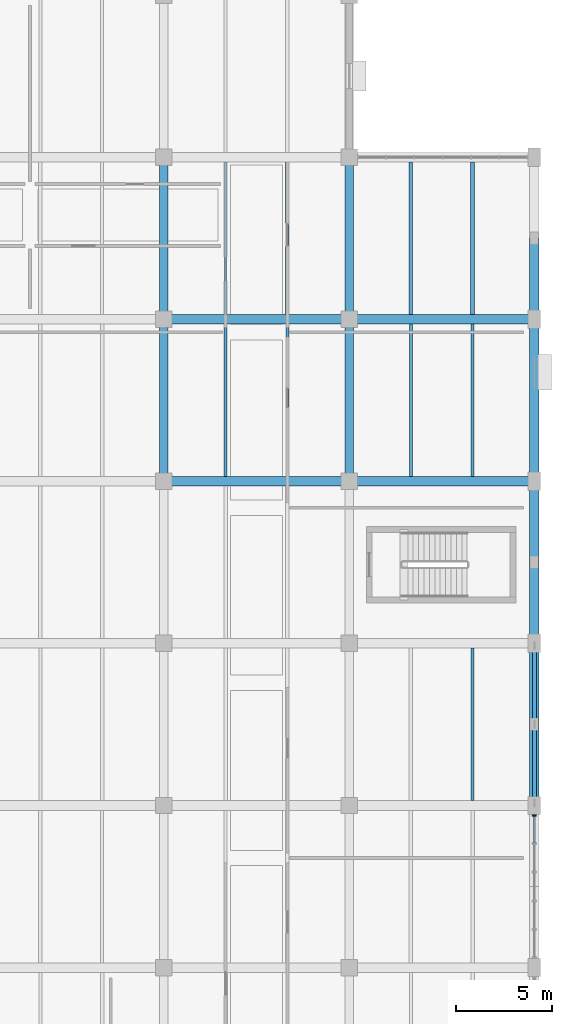
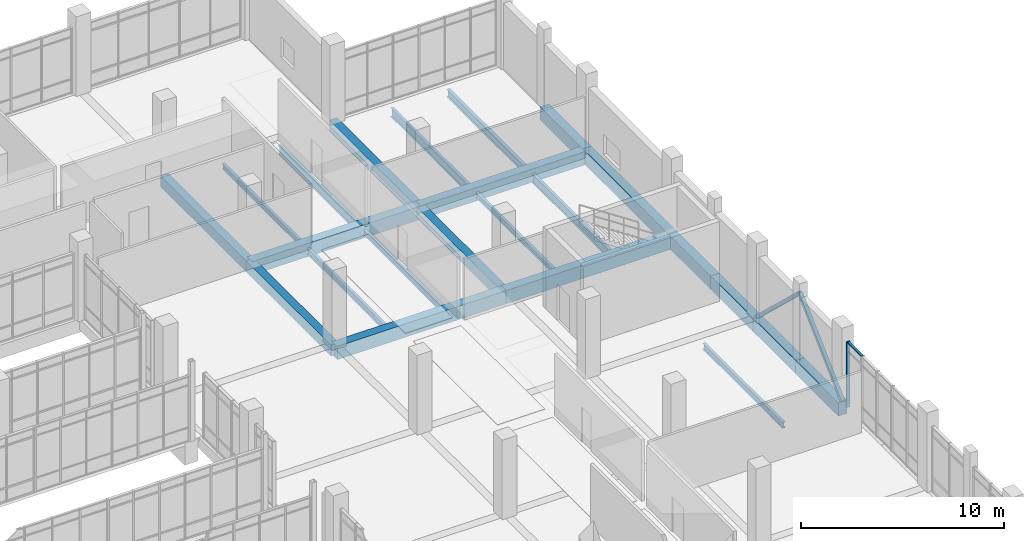
# One storey, part 64 of 152: 23 beams, 4 members, 1 element without a shape of its own.
"""IFC4 building model written with IfcOpenShell, lengths in metres."""

from ifc_helpers import new_model, si_unit, direction, frame, origin, origin_2d, place, context, subcontext, project, spatial, rectangle, hollow_rectangle, i_section, extrude, material, material_profile, profile_set, type_object, element, aggregate, save


model = new_model("IFC4")

# Units and contexts
model_context = context("Model", 3, precision=1e-05, world=origin(), true_north=direction((0.0, 1.0)))
body_context = subcontext(model_context, "Body", "Model", "MODEL_VIEW")
ifc_project = project(units=[si_unit("LENGTHUNIT", "METRE"), si_unit("AREAUNIT", "SQUARE_METRE"), si_unit("VOLUMEUNIT", "CUBIC_METRE"), si_unit("PLANEANGLEUNIT", "RADIAN"), si_unit("MASSUNIT", "GRAM", prefix="KILO")], contexts=[model_context])

# Site, building, storey
site_placement = place(None, origin())
site = spatial("IfcSite", under=ifc_project, at=site_placement, CompositionType="ELEMENT")
building_placement = place(site_placement, origin())
building = spatial("IfcBuilding", under=site, at=building_placement, Name="Oolite Switchyard Hospital", CompositionType="ELEMENT")
storey_placement = place(building_placement, frame((0.0, 0.0, 5.10009765625)))
storey = spatial("IfcBuildingStorey", under=building, at=storey_placement, Name="L01", CompositionType="ELEMENT", Elevation=5.10009765625)

# Beams
ifc_material_1 = material(Name="Concrete C40/50", Category="concrete")
ifc_material_profile_1 = material_profile(ifc_material_1, rectangle(XDim=0.449951171875, YDim=0.64990234375, at=origin_2d()), Name="RCB450X650")
ifc_profile_set_1 = profile_set([ifc_material_profile_1], Name="Concrete C40/50")
beam_type_1 = type_object("IfcBeamType", Name="BM-RC450X650", PredefinedType="BEAM", material=ifc_profile_set_1)
beam_1_placement = place(storey_placement, frame((192.0, 50.39990234375, -0.3251953125), z_axis=(0.0, 1.0, 0.0), x_axis=(-1.0, 0.0, 0.0)))
element("IfcBeam", 1, at=beam_1_placement, inside=storey, type_object=beam_type_1, Name="L01 Y-Girder 528", PredefinedType="BEAM", context=body_context, shape_type="SweptSolid", body=[
    extrude(rectangle(XDim=0.449951171875, YDim=0.64990234375, at=origin_2d()), origin(), (0.0, 0.0, 1.0), 8.400146484375),
])
beam_2_placement = place(storey_placement, frame((192.0, 58.800048828125, -0.3251953125), z_axis=(0.0, 1.0, 0.0), x_axis=(-1.0, 0.0, 0.0)))
element("IfcBeam", 2, at=beam_2_placement, inside=storey, type_object=beam_type_1, Name="L01 Y-Girder 529", PredefinedType="BEAM", context=body_context, shape_type="SweptSolid", body=[
    extrude(rectangle(XDim=0.449951171875, YDim=0.64990234375, at=origin_2d()), origin(), (0.0, 0.0, 1.0), 8.39990234375),
])
beam_3_placement = place(storey_placement, frame((201.60009765625, 50.39990234375, -0.3251953125), z_axis=(0.0, 1.0, 0.0), x_axis=(-1.0, 0.0, 0.0)))
element("IfcBeam", 3, at=beam_3_placement, inside=storey, type_object=beam_type_1, Name="L01 Y-Girder 540", PredefinedType="BEAM", context=body_context, shape_type="SweptSolid", body=[
    extrude(rectangle(XDim=0.449951171875, YDim=0.64990234375, at=origin_2d()), origin(), (0.0, 0.0, 1.0), 8.400146484375),
])
beam_4_placement = place(storey_placement, frame((201.60009765625, 58.800048828125, -0.3251953125), z_axis=(0.0, 1.0, 0.0), x_axis=(-1.0, 0.0, 0.0)))
element("IfcBeam", 4, at=beam_4_placement, inside=storey, type_object=beam_type_1, Name="L01 Y-Girder 541", PredefinedType="BEAM", context=body_context, shape_type="SweptSolid", body=[
    extrude(rectangle(XDim=0.449951171875, YDim=0.64990234375, at=origin_2d()), origin(), (0.0, 0.0, 1.0), 8.39990234375),
])
ifc_material_profile_2 = material_profile(ifc_material_1, rectangle(XDim=0.5, YDim=0.800048828125, at=origin_2d()), Name="RCB500X800")
ifc_profile_set_2 = profile_set([ifc_material_profile_2], Name="Concrete C40/50")
beam_type_2 = type_object("IfcBeamType", Name="BM-RC500X800", PredefinedType="BEAM", material=ifc_profile_set_2)
beam_5_placement = place(storey_placement, frame((192.0, 50.39990234375, -0.400146484375), z_axis=(1.0, 0.0, 0.0), x_axis=(0.0, 1.0, 0.0)))
element("IfcBeam", 5, at=beam_5_placement, inside=storey, type_object=beam_type_2, Name="L01 X-Girder 110", PredefinedType="BEAM", context=body_context, shape_type="SweptSolid", body=[
    extrude(rectangle(XDim=0.5, YDim=0.800048828125, at=origin_2d()), origin(), (0.0, 0.0, 1.0), 9.60009765625),
])
beam_6_placement = place(storey_placement, frame((201.60009765625, 50.39990234375, -0.400146484375), z_axis=(1.0, 0.0, 0.0), x_axis=(0.0, 1.0, 0.0)))
element("IfcBeam", 6, at=beam_6_placement, inside=storey, type_object=beam_type_2, Name="L01 X-Girder 111", PredefinedType="BEAM", context=body_context, shape_type="SweptSolid", body=[
    extrude(rectangle(XDim=0.5, YDim=0.800048828125, at=origin_2d()), origin(), (0.0, 0.0, 1.0), 9.599853515625),
])
beam_7_placement = place(storey_placement, frame((192.0, 58.800048828125, -0.400146484375), z_axis=(1.0, 0.0, 0.0), x_axis=(0.0, 1.0, 0.0)))
element("IfcBeam", 7, at=beam_7_placement, inside=storey, type_object=beam_type_2, Name="L01 X-Girder 126", PredefinedType="BEAM", context=body_context, shape_type="SweptSolid", body=[
    extrude(rectangle(XDim=0.5, YDim=0.800048828125, at=origin_2d()), origin(), (0.0, 0.0, 1.0), 9.60009765625),
])
beam_8_placement = place(storey_placement, frame((201.60009765625, 58.800048828125, -0.400146484375), z_axis=(1.0, 0.0, 0.0), x_axis=(0.0, 1.0, 0.0)))
element("IfcBeam", 8, at=beam_8_placement, inside=storey, type_object=beam_type_2, Name="L01 X-Girder 127", PredefinedType="BEAM", context=body_context, shape_type="SweptSolid", body=[
    extrude(rectangle(XDim=0.5, YDim=0.800048828125, at=origin_2d()), origin(), (0.0, 0.0, 1.0), 9.599853515625),
])
for number, where, z_axis, x_axis, name in (
    (9, (211.199951171875, 33.60009765625, -0.400146484375), (0.0, 1.0, 0.0), (-1.0, 0.0, 0.0), "L01 Y-Girder 552"),
    (10, (211.199951171875, 37.800048828125, -0.400146484375), (0.0, 1.0, 0.0), (-1.0, 0.0, 0.0), "L01 Y-Girder 553"),
    (11, (211.199951171875, 42.0, -0.400146484375), (0.0, 1.0, 0.0), (-1.0, 0.0, 0.0), "L01 Y-Girder 554"),
    (12, (211.199951171875, 46.199951171875, -0.400146484375), (0.0, 1.0, 0.0), (-1.0, 0.0, 0.0), "L01 Y-Girder 555"),
):
    element("IfcBeam", number, at=place(storey_placement, frame(where, z_axis=z_axis, x_axis=x_axis)), inside=storey, type_object=beam_type_2, Name=name, PredefinedType="BEAM", context=body_context, shape_type="SweptSolid", body=[
        extrude(rectangle(XDim=0.5, YDim=0.800048828125, at=origin_2d()), origin(), (0.0, 0.0, 1.0), 4.199951171875),
    ])
beam_9_placement = place(storey_placement, frame((211.199951171875, 50.39990234375, -0.400146484375), z_axis=(0.0, 1.0, 0.0), x_axis=(-1.0, 0.0, 0.0)))
element("IfcBeam", 13, at=beam_9_placement, inside=storey, type_object=beam_type_2, Name="L01 Y-Girder 556", PredefinedType="BEAM", context=body_context, shape_type="SweptSolid", body=[
    extrude(rectangle(XDim=0.5, YDim=0.800048828125, at=origin_2d()), origin(), (0.0, 0.0, 1.0), 8.400146484375),
])
beam_10_placement = place(storey_placement, frame((211.199951171875, 58.800048828125, -0.400146484375), z_axis=(0.0, 1.0, 0.0), x_axis=(-1.0, 0.0, 0.0)))
element("IfcBeam", 14, at=beam_10_placement, inside=storey, type_object=beam_type_2, Name="L01 Y-Girder 557", PredefinedType="BEAM", context=body_context, shape_type="SweptSolid", body=[
    extrude(rectangle(XDim=0.5, YDim=0.800048828125, at=origin_2d()), origin(), (0.0, 0.0, 1.0), 4.199951171875),
])
ifc_material_2 = material(Name="Steel ASTM A992 Grade 50", Category="steel")
ifc_material_profile_3 = material_profile(ifc_material_2, i_section(OverallWidth=0.1650390625, OverallDepth=0.31005859375, WebThickness=0.006103515625, FlangeThickness=0.010009765625, at=origin_2d()), Name="W12X26")
ifc_profile_set_3 = profile_set([ifc_material_profile_3], Name="Steel ASTM A992 Grade 50")
beam_type_3 = type_object("IfcBeamType", Name="BM-W12X26", PredefinedType="JOIST", material=ifc_profile_set_3)
beam_11_placement = place(storey_placement, frame((198.39990234375, 50.64990234375, -0.43017578125), z_axis=(0.0, 1.0, 0.0), x_axis=(-1.0, 0.0, 0.0)))
element("IfcBeam", 15, at=beam_11_placement, inside=storey, type_object=beam_type_3, Name="L01 Secondary Steel Joist 961", PredefinedType="JOIST", context=body_context, shape_type="SweptSolid", body=[
    extrude(i_section(OverallWidth=0.1650390625, OverallDepth=0.31005859375, WebThickness=0.006103515625, FlangeThickness=0.010009765625, at=origin_2d()), origin(), (0.0, 0.0, 1.0), 7.900146484375),
])
beam_12_placement = place(storey_placement, frame((195.199951171875, 59.050048828125, -0.43017578125), z_axis=(0.0, 1.0, 0.0), x_axis=(-1.0, 0.0, 0.0)))
element("IfcBeam", 16, at=beam_12_placement, inside=storey, type_object=beam_type_3, Name="L01 Secondary Steel Joist 962", PredefinedType="JOIST", context=body_context, shape_type="SweptSolid", body=[
    extrude(i_section(OverallWidth=0.1650390625, OverallDepth=0.31005859375, WebThickness=0.006103515625, FlangeThickness=0.010009765625, at=origin_2d()), origin(), (0.0, 0.0, 1.0), 7.89990234375),
])
beam_13_placement = place(storey_placement, frame((204.800048828125, 50.64990234375, -0.43017578125), z_axis=(0.0, 1.0, 0.0), x_axis=(-1.0, 0.0, 0.0)))
element("IfcBeam", 17, at=beam_13_placement, inside=storey, type_object=beam_type_3, Name="L01 Secondary Steel Joist 978", PredefinedType="JOIST", context=body_context, shape_type="SweptSolid", body=[
    extrude(i_section(OverallWidth=0.1650390625, OverallDepth=0.31005859375, WebThickness=0.006103515625, FlangeThickness=0.010009765625, at=origin_2d()), origin(), (0.0, 0.0, 1.0), 7.900146484375),
])
ifc_material_profile_4 = material_profile(ifc_material_2, i_section(OverallWidth=0.1708984375, OverallDepth=0.35107421875, WebThickness=0.007080078125, FlangeThickness=0.010009765625, at=origin_2d()), Name="W14X30")
ifc_profile_set_4 = profile_set([ifc_material_profile_4], Name="Steel ASTM A992 Grade 50")
beam_type_4 = type_object("IfcBeamType", Name="BM-W14X30", PredefinedType="JOIST", material=ifc_profile_set_4)
beam_14_placement = place(storey_placement, frame((195.199951171875, 50.64990234375, -0.4501953125), z_axis=(0.0, 1.0, 0.0), x_axis=(-1.0, 0.0, 0.0)))
element("IfcBeam", 18, at=beam_14_placement, inside=storey, type_object=beam_type_4, Name="L01 Secondary Steel Joist 960", PredefinedType="JOIST", context=body_context, shape_type="SweptSolid", body=[
    extrude(i_section(OverallWidth=0.1708984375, OverallDepth=0.35107421875, WebThickness=0.007080078125, FlangeThickness=0.010009765625, at=origin_2d()), origin(), (0.0, 0.0, 1.0), 7.900146484375),
])
beam_15_placement = place(storey_placement, frame((208.0, 33.85009765625, -0.4501953125), z_axis=(0.0, 1.0, 0.0), x_axis=(-1.0, 0.0, 0.0)))
element("IfcBeam", 19, at=beam_15_placement, inside=storey, type_object=beam_type_4, Name="L01 Secondary Steel Joist 977", PredefinedType="JOIST", context=body_context, shape_type="SweptSolid", body=[
    extrude(i_section(OverallWidth=0.1708984375, OverallDepth=0.35107421875, WebThickness=0.007080078125, FlangeThickness=0.010009765625, at=origin_2d()), origin(), (0.0, 0.0, 1.0), 7.89990234375),
])
ifc_material_profile_5 = material_profile(ifc_material_2, i_section(OverallWidth=0.19091796875, OverallDepth=0.4599609375, WebThickness=0.010009765625, FlangeThickness=0.01611328125, at=origin_2d()), Name="W18X55")
ifc_profile_set_5 = profile_set([ifc_material_profile_5], Name="Steel ASTM A992 Grade 50")
beam_type_5 = type_object("IfcBeamType", Name="BM-W18X55", PredefinedType="JOIST", material=ifc_profile_set_5)
beam_16_placement = place(storey_placement, frame((208.0, 59.050048828125, -0.505126953125), z_axis=(0.0, 1.0, 0.0), x_axis=(-1.0, 0.0, 0.0)))
element("IfcBeam", 20, at=beam_16_placement, inside=storey, type_object=beam_type_5, Name="L01 Secondary Steel Joist 981", PredefinedType="JOIST", context=body_context, shape_type="SweptSolid", body=[
    extrude(i_section(OverallWidth=0.19091796875, OverallDepth=0.4599609375, WebThickness=0.010009765625, FlangeThickness=0.01611328125, at=origin_2d()), origin(), (0.0, 0.0, 1.0), 7.89990234375),
])
ifc_material_profile_6 = material_profile(ifc_material_2, i_section(OverallWidth=0.166015625, OverallDepth=0.529052734375, WebThickness=0.010009765625, FlangeThickness=0.013916015625, at=origin_2d()), Name="W21X50")
ifc_profile_set_6 = profile_set([ifc_material_profile_6], Name="Steel ASTM A992 Grade 50")
beam_type_6 = type_object("IfcBeamType", Name="BM-W21X50", PredefinedType="JOIST", material=ifc_profile_set_6)
beam_17_placement = place(storey_placement, frame((198.39990234375, 59.050048828125, -0.5400390625), z_axis=(0.0, 1.0, 0.0), x_axis=(-1.0, 0.0, 0.0)))
element("IfcBeam", 21, at=beam_17_placement, inside=storey, type_object=beam_type_6, Name="L01 Secondary Steel Joist 963", PredefinedType="JOIST", context=body_context, shape_type="SweptSolid", body=[
    extrude(i_section(OverallWidth=0.166015625, OverallDepth=0.529052734375, WebThickness=0.010009765625, FlangeThickness=0.013916015625, at=origin_2d()), origin(), (0.0, 0.0, 1.0), 7.89990234375),
])
beam_18_placement = place(storey_placement, frame((208.0, 50.64990234375, -0.5400390625), z_axis=(0.0, 1.0, 0.0), x_axis=(-1.0, 0.0, 0.0)))
element("IfcBeam", 22, at=beam_18_placement, inside=storey, type_object=beam_type_6, Name="L01 Secondary Steel Joist 979", PredefinedType="JOIST", context=body_context, shape_type="SweptSolid", body=[
    extrude(i_section(OverallWidth=0.166015625, OverallDepth=0.529052734375, WebThickness=0.010009765625, FlangeThickness=0.013916015625, at=origin_2d()), origin(), (0.0, 0.0, 1.0), 7.900146484375),
])
beam_19_placement = place(storey_placement, frame((204.800048828125, 59.050048828125, -0.5400390625), z_axis=(0.0, 1.0, 0.0), x_axis=(-1.0, 0.0, 0.0)))
element("IfcBeam", 23, at=beam_19_placement, inside=storey, type_object=beam_type_6, Name="L01 Secondary Steel Joist 980", PredefinedType="JOIST", context=body_context, shape_type="SweptSolid", body=[
    extrude(i_section(OverallWidth=0.166015625, OverallDepth=0.529052734375, WebThickness=0.010009765625, FlangeThickness=0.013916015625, at=origin_2d()), origin(), (0.0, 0.0, 1.0), 7.89990234375),
])

# Curtain wall, members
ifc_material_3 = material(Name="Thermally broken aluminum frame with laminated impact glazing", Category="aluminium")
curtain_wall_type = type_object("IfcCurtainWallType", Name="CW-UNIT-84X48", PredefinedType="USERDEFINED", material=ifc_material_3)
curtain_wall_placement = place(storey_placement, origin())
curtain_wall = element("IfcCurtainWall", 24, at=curtain_wall_placement, inside=storey, type_object=curtain_wall_type, Name="L01 Unitised Curtain Wall 202", ObjectType="UNITISED", PredefinedType="USERDEFINED")
ifc_material_4 = material(Name="Aluminium 6063-T6", Category="aluminium")
ifc_material_profile_7 = material_profile(ifc_material_4, rectangle(XDim=0.199951171875, YDim=0.074951171875, at=origin_2d()), Name="CWM75X200")
ifc_profile_set_7 = profile_set([ifc_material_profile_7], Name="Aluminium 6063-T6")
member_type_1 = type_object("IfcMemberType", Name="CW-MUL-260", PredefinedType="MULLION", material=ifc_profile_set_7)
member_1_placement = place(storey_placement, frame((211.199951171875, 33.072509765625, 0.0), z_axis=(0.0, 0.0, 1.0), x_axis=(1.0, 0.0, 0.0)))
member_1 = element("IfcMember", 25, at=member_1_placement, type_object=member_type_1, Name="CW-07 mullion 1", PredefinedType="MULLION", context=body_context, shape_type="SweptSolid", body=[
    extrude(rectangle(XDim=0.199951171875, YDim=0.074951171875, at=origin_2d()), origin(), (0.0, 0.0, 1.0), 3.93994140625),
])
ifc_material_profile_8 = material_profile(ifc_material_4, rectangle(XDim=0.1201171875, YDim=0.06005859375, at=origin_2d()), Name="CWT60X120")
ifc_profile_set_8 = profile_set([ifc_material_profile_8], Name="Aluminium 6063-T6")
member_type_2 = type_object("IfcMemberType", Name="CW-TRN-150", PredefinedType="USERDEFINED", material=ifc_profile_set_8)
member_2_placement = place(storey_placement, frame((211.199951171875, 33.034912109375, 3.909912109375), z_axis=(0.0, -1.0, 0.0), x_axis=(1.0, 0.0, 0.0)))
member_2 = element("IfcMember", 26, at=member_2_placement, type_object=member_type_2, Name="CW-07 transom 1.4", ObjectType="TRANSOM", PredefinedType="USERDEFINED", context=body_context, shape_type="SweptSolid", body=[
    extrude(rectangle(XDim=0.1201171875, YDim=0.06005859375, at=origin_2d()), origin(), (0.0, 0.0, 1.0), 1.371337890625),
])
aggregate(curtain_wall, [member_1, member_2])

# Members
ifc_material_5 = material(Name="Steel ASTM A500 Grade C", Category="steel")
ifc_material_profile_9 = material_profile(ifc_material_5, hollow_rectangle(XDim=0.202880859375, YDim=0.202880859375, WallThickness=0.012939453125, at=origin_2d()), Name="HSS203X203X13")
ifc_profile_set_9 = profile_set([ifc_material_profile_9], Name="Steel ASTM A500 Grade C")
member_type_3 = type_object("IfcMemberType", Name="MEM-BR-HSS203", PredefinedType="BRACE", material=ifc_profile_set_9)
for number, where, z_axis, x_axis, name in (
    (27, (211.199951171875, 33.60009765625, 0.02001953125), (0.0, 0.725859542957, 0.687842950025), (-1.0, 0.0, 0.0), "L01 Chevron Brace 73"),
    (28, (211.199951171875, 42.0, 0.02001953125), (0.0, -0.725859542957, 0.687842950025), (1.0, 0.0, 0.0), "L01 Chevron Brace 74"),
):
    element("IfcMember", number, at=place(storey_placement, frame(where, z_axis=z_axis, x_axis=x_axis)), inside=storey, type_object=member_type_3, Name=name, PredefinedType="BRACE", context=body_context, shape_type="SweptSolid", body=[
        extrude(hollow_rectangle(XDim=0.202880859375, YDim=0.202880859375, WallThickness=0.012939453125, at=origin_2d()), origin(), (0.0, 0.0, 1.0), 5.7861328125),
    ])

save(model, "model.ifc")
